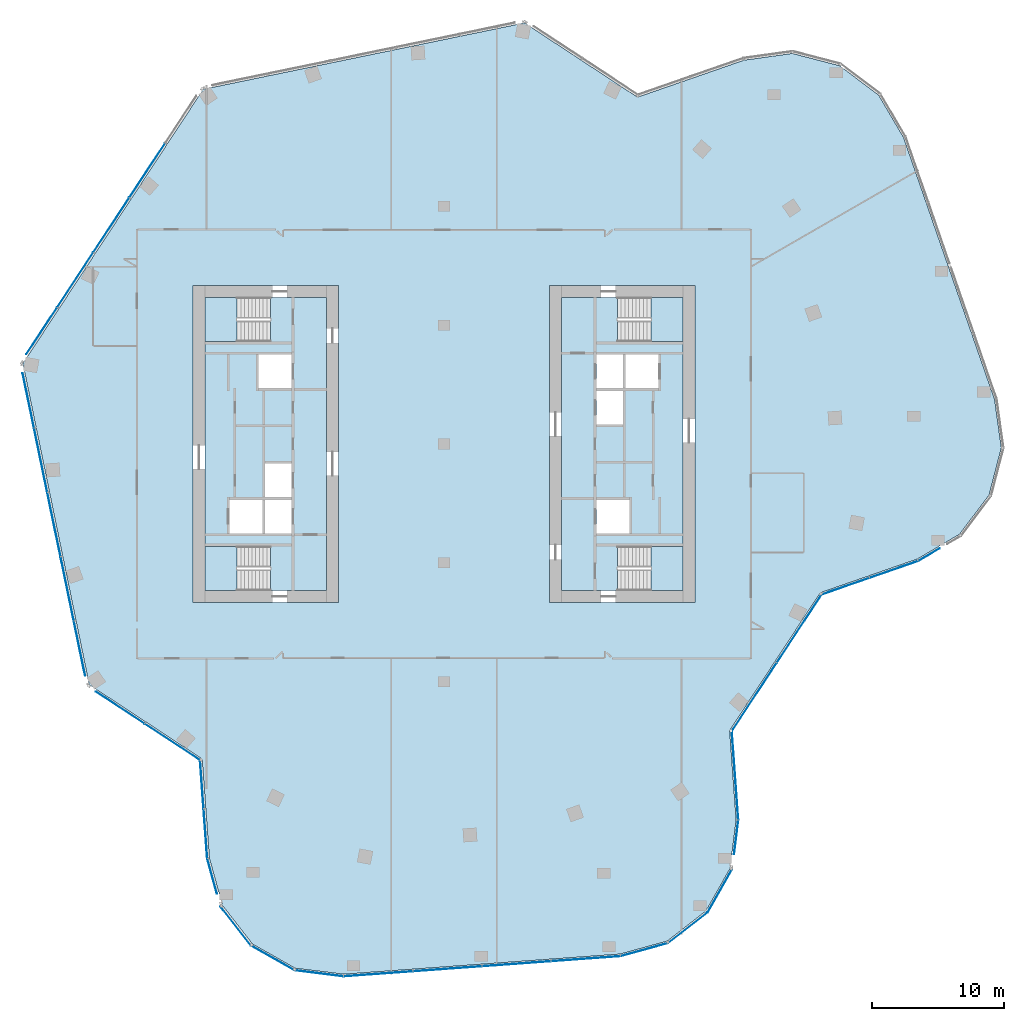
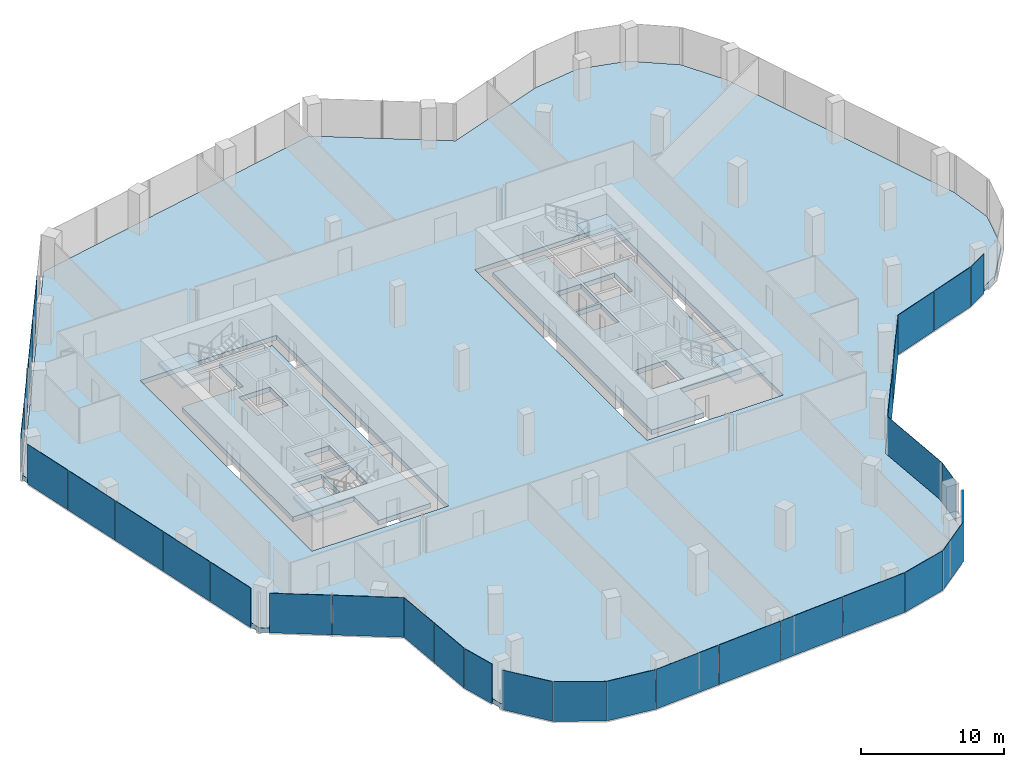
# One storey, part 16 of 24: 31 plates, 7 slabs, 21 elements without a shape of their own.
"""IFC4 building model written with IfcOpenShell, lengths in metres."""

from ifc_helpers import new_model, si_unit, direction, frame, origin, origin_2d, place, context, subcontext, project, spatial, polyline, rectangle, outline, extrude, material, layer, layer_set, type_object, element, aggregate, save


model = new_model("IFC4")

# Units and contexts
model_context = context("Model", 3, precision=1e-05, world=origin(), true_north=direction((0.0, 1.0)))
body_context = subcontext(model_context, "Body", "Model", "MODEL_VIEW")
ifc_project = project(units=[si_unit("LENGTHUNIT", "METRE"), si_unit("AREAUNIT", "SQUARE_METRE"), si_unit("VOLUMEUNIT", "CUBIC_METRE"), si_unit("PLANEANGLEUNIT", "RADIAN"), si_unit("MASSUNIT", "GRAM", prefix="KILO")], contexts=[model_context])

# Site, building, storey
site_placement = place(None, origin())
site = spatial("IfcSite", under=ifc_project, at=site_placement, CompositionType="ELEMENT")
building_placement = place(site_placement, origin())
building = spatial("IfcBuilding", under=site, at=building_placement, Name="Orlundy Tower", CompositionType="ELEMENT")
storey_placement = place(building_placement, frame((0.0, 0.0, 235.5)))
storey = spatial("IfcBuildingStorey", under=building, at=storey_placement, Name="L62", CompositionType="ELEMENT", Elevation=235.5)

# Curtain wall, plates
ifc_material_1 = material(Name="Aluminium bronze anodised", Category="aluminium")
curtain_wall_type = type_object("IfcCurtainWallType", Name="CW1 wall", PredefinedType="NOTDEFINED", material=ifc_material_1)
curtain_wall_1_placement = place(storey_placement, origin())
curtain_wall_1 = element("IfcCurtainWall", 1, at=curtain_wall_1_placement, inside=storey, type_object=curtain_wall_type, Name="CW1 run 00", PredefinedType="NOTDEFINED")
ifc_material_2 = material(Name="Tinted glass", Category="glass")
ifc_layer_1 = layer(ifc_material_2, 0.031982421875)
ifc_layer_set_1 = layer_set([ifc_layer_1], Name="CW1 glass panel 32")
plate_type = type_object("IfcPlateType", Name="CW1 glass panel 32", PredefinedType="CURTAIN_PANEL", material=ifc_layer_set_1)
plate_1_placement = place(storey_placement, frame((34.071044921875, -9.505126953125, -0.280029296875), z_axis=(0.0, 0.0, 1.0), x_axis=(-0.944599002584, -0.328226635601, 0.0)))
plate_1 = element("IfcPlate", 2, at=plate_1_placement, type_object=plate_type, Name="CW1 panel", PredefinedType="CURTAIN_PANEL", context=body_context, shape_type="SweptSolid", body=[
    extrude(rectangle(XDim=3.858154296875, YDim=0.031982421875, at=origin_2d()), origin(), (0.0, 0.0, 1.0), 3.3798828125),
])
plate_2_placement = place(storey_placement, frame((30.401611328125, -10.780029296875, -0.280029296875), z_axis=(0.0, 0.0, 1.0), x_axis=(-0.944599002584, -0.328226635601, 0.0)))
plate_2 = element("IfcPlate", 3, at=plate_2_placement, type_object=plate_type, Name="CW1 panel", PredefinedType="CURTAIN_PANEL", context=body_context, shape_type="SweptSolid", body=[
    extrude(rectangle(XDim=3.8115234375, YDim=0.031982421875, at=origin_2d()), origin(), (0.0, 0.0, 1.0), 3.3798828125),
])
aggregate(curtain_wall_1, [plate_1, plate_2])

curtain_wall_2_placement = place(storey_placement, origin())
curtain_wall_2 = element("IfcCurtainWall", 4, at=curtain_wall_2_placement, inside=storey, type_object=curtain_wall_type, Name="CW1 run 01", PredefinedType="NOTDEFINED")
plate_3_placement = place(storey_placement, frame((26.908447265625, -13.97998046875, -0.280029296875), z_axis=(0.0, 0.0, 1.0), x_axis=(-0.549495877226, -0.835496427827, 0.0)))
plate_3 = element("IfcPlate", 5, at=plate_3_placement, type_object=plate_type, Name="CW1 panel", PredefinedType="CURTAIN_PANEL", context=body_context, shape_type="SweptSolid", body=[
    extrude(rectangle(XDim=6.162353515625, YDim=0.031982421875, at=origin_2d()), origin(), (0.0, 0.0, 1.0), 3.3798828125),
])
plate_4_placement = place(storey_placement, frame((23.49462890625, -19.17041015625, -0.280029296875), z_axis=(0.0, 0.0, 1.0), x_axis=(-0.549495877226, -0.835496427827, 0.0)))
plate_4 = element("IfcPlate", 6, at=plate_4_placement, type_object=plate_type, Name="CW1 panel", PredefinedType="CURTAIN_PANEL", context=body_context, shape_type="SweptSolid", body=[
    extrude(rectangle(XDim=6.162353515625, YDim=0.031982421875, at=origin_2d()), origin(), (0.0, 0.0, 1.0), 3.3798828125),
])
aggregate(curtain_wall_2, [plate_3, plate_4])

# Curtain wall, plate
curtain_wall_3_placement = place(storey_placement, origin())
curtain_wall_3 = element("IfcCurtainWall", 7, at=curtain_wall_3_placement, inside=storey, type_object=curtain_wall_type, Name="CW1 run 02", PredefinedType="NOTDEFINED")
plate_5_placement = place(storey_placement, frame((22.045654296875, -25.095947265625, -0.280029296875), z_axis=(0.0, 0.0, 1.0), x_axis=(0.072660980026, -0.997356697467, 0.0)))
plate_5 = element("IfcPlate", 8, at=plate_5_placement, type_object=plate_type, Name="CW1 panel", PredefinedType="CURTAIN_PANEL", context=body_context, shape_type="SweptSolid", body=[
    extrude(rectangle(XDim=6.72021484375, YDim=0.031982421875, at=origin_2d()), origin(), (0.0, 0.0, 1.0), 3.3798828125),
])
aggregate(curtain_wall_3, [plate_5])

curtain_wall_4_placement = place(storey_placement, origin())
curtain_wall_4 = element("IfcCurtainWall", 9, at=curtain_wall_4_placement, inside=storey, type_object=curtain_wall_type, Name="CW1 run 03", PredefinedType="NOTDEFINED")
plate_6_placement = place(storey_placement, frame((22.12939453125, -29.779296875, -0.280029296875), z_axis=(0.0, 0.0, 1.0), x_axis=(-0.12330413281, -0.992368928792, 0.0)))
plate_6 = element("IfcPlate", 10, at=plate_6_placement, type_object=plate_type, Name="CW1 panel", PredefinedType="CURTAIN_PANEL", context=body_context, shape_type="SweptSolid", body=[
    extrude(rectangle(XDim=2.584228515625, YDim=0.031982421875, at=origin_2d()), origin(), (0.0, 0.0, 1.0), 3.3798828125),
])
aggregate(curtain_wall_4, [plate_6])

curtain_wall_5_placement = place(storey_placement, origin())
curtain_wall_5 = element("IfcCurtainWall", 11, at=curtain_wall_5_placement, inside=storey, type_object=curtain_wall_type, Name="CW1 run 04", PredefinedType="NOTDEFINED")
plate_7_placement = place(storey_placement, frame((20.897705078125, -33.83837890625, -0.280029296875), z_axis=(0.0, 0.0, 1.0), x_axis=(-0.493754430095, -0.869601381531, 0.0)))
plate_7 = element("IfcPlate", 12, at=plate_7_placement, type_object=plate_type, Name="CW1 panel", PredefinedType="CURTAIN_PANEL", context=body_context, shape_type="SweptSolid", body=[
    extrude(rectangle(XDim=3.771484375, YDim=0.031982421875, at=origin_2d()), origin(), (0.0, 0.0, 1.0), 3.3798828125),
])
aggregate(curtain_wall_5, [plate_7])

curtain_wall_6_placement = place(storey_placement, origin())
curtain_wall_6 = element("IfcCurtainWall", 13, at=curtain_wall_6_placement, inside=storey, type_object=curtain_wall_type, Name="CW1 run 05", PredefinedType="NOTDEFINED")
plate_8_placement = place(storey_placement, frame((18.478759765625, -36.637451171875, -0.280029296875), z_axis=(0.0, 0.0, 1.0), x_axis=(-0.788858043661, -0.614575452611, 0.0)))
plate_8 = element("IfcPlate", 14, at=plate_8_placement, type_object=plate_type, Name="CW1 panel", PredefinedType="CURTAIN_PANEL", context=body_context, shape_type="SweptSolid", body=[
    extrude(rectangle(XDim=3.77197265625, YDim=0.031982421875, at=origin_2d()), origin(), (0.0, 0.0, 1.0), 3.3798828125),
])
aggregate(curtain_wall_6, [plate_8])

curtain_wall_7_placement = place(storey_placement, origin())
curtain_wall_7 = element("IfcCurtainWall", 15, at=curtain_wall_7_placement, inside=storey, type_object=curtain_wall_type, Name="CW1 run 06", PredefinedType="NOTDEFINED")
plate_9_placement = place(storey_placement, frame((15.192626953125, -38.29248046875, -0.280029296875), z_axis=(0.0, 0.0, 1.0), x_axis=(-0.96398784948, -0.265946284152, 0.0)))
plate_9 = element("IfcPlate", 16, at=plate_9_placement, type_object=plate_type, Name="CW1 panel", PredefinedType="CURTAIN_PANEL", context=body_context, shape_type="SweptSolid", body=[
    extrude(rectangle(XDim=3.731201171875, YDim=0.031982421875, at=origin_2d()), origin(), (0.0, 0.0, 1.0), 3.3798828125),
])
aggregate(curtain_wall_7, [plate_9])

# Curtain wall, plates
curtain_wall_8_placement = place(storey_placement, origin())
curtain_wall_8 = element("IfcCurtainWall", 17, at=curtain_wall_8_placement, inside=storey, type_object=curtain_wall_type, Name="CW1 run 07", PredefinedType="NOTDEFINED")
plate_10_placement = place(storey_placement, frame((10.743896484375, -38.98681640625, -0.280029296875), z_axis=(0.0, 0.0, 1.0), x_axis=(-0.997356161969, -0.072668329988, 0.0)))
plate_10 = element("IfcPlate", 18, at=plate_10_placement, type_object=plate_type, Name="CW1 panel", PredefinedType="CURTAIN_PANEL", context=body_context, shape_type="SweptSolid", body=[
    extrude(rectangle(XDim=5.2158203125, YDim=0.031982421875, at=origin_2d()), origin(), (0.0, 0.0, 1.0), 3.3798828125),
])
plate_11_placement = place(storey_placement, frame((5.5, -39.368896484375, -0.280029296875), z_axis=(0.0, 0.0, 1.0), x_axis=(-0.997356161969, -0.072668329988, 0.0)))
plate_11 = element("IfcPlate", 19, at=plate_11_placement, type_object=plate_type, Name="CW1 panel", PredefinedType="CURTAIN_PANEL", context=body_context, shape_type="SweptSolid", body=[
    extrude(rectangle(XDim=5.199951171875, YDim=0.031982421875, at=origin_2d()), origin(), (0.0, 0.0, 1.0), 3.3798828125),
])
plate_12_placement = place(storey_placement, frame((0.263916015625, -39.750244140625, -0.280029296875), z_axis=(0.0, 0.0, 1.0), x_axis=(-0.997356161969, -0.072668329988, 0.0)))
plate_12 = element("IfcPlate", 20, at=plate_12_placement, type_object=plate_type, Name="CW1 panel", PredefinedType="CURTAIN_PANEL", context=body_context, shape_type="SweptSolid", body=[
    extrude(rectangle(XDim=5.199951171875, YDim=0.031982421875, at=origin_2d()), origin(), (0.0, 0.0, 1.0), 3.3798828125),
])
plate_13_placement = place(storey_placement, frame((-4.97998046875, -40.13232421875, -0.280029296875), z_axis=(0.0, 0.0, 1.0), x_axis=(-0.997356161969, -0.072668329988, 0.0)))
plate_13 = element("IfcPlate", 21, at=plate_13_placement, type_object=plate_type, Name="CW1 panel", PredefinedType="CURTAIN_PANEL", context=body_context, shape_type="SweptSolid", body=[
    extrude(rectangle(XDim=5.2158203125, YDim=0.031982421875, at=origin_2d()), origin(), (0.0, 0.0, 1.0), 3.3798828125),
])
aggregate(curtain_wall_8, [plate_10, plate_11, plate_12, plate_13])

# Curtain wall, plate
curtain_wall_9_placement = place(storey_placement, origin())
curtain_wall_9 = element("IfcCurtainWall", 22, at=curtain_wall_9_placement, inside=storey, type_object=curtain_wall_type, Name="CW1 run 08", PredefinedType="NOTDEFINED")
plate_14_placement = place(storey_placement, frame((-9.482421875, -40.090087890625, -0.280029296875), z_axis=(0.0, 0.0, 1.0), x_axis=(-0.992339997357, 0.123536754229, 0.0)))
plate_14 = element("IfcPlate", 23, at=plate_14_placement, type_object=plate_type, Name="CW1 panel", PredefinedType="CURTAIN_PANEL", context=body_context, shape_type="SweptSolid", body=[
    extrude(rectangle(XDim=3.73095703125, YDim=0.031982421875, at=origin_2d()), origin(), (0.0, 0.0, 1.0), 3.3798828125),
])
aggregate(curtain_wall_9, [plate_14])

curtain_wall_10_placement = place(storey_placement, origin())
curtain_wall_10 = element("IfcCurtainWall", 24, at=curtain_wall_10_placement, inside=storey, type_object=curtain_wall_type, Name="CW1 run 09", PredefinedType="NOTDEFINED")
plate_15_placement = place(storey_placement, frame((-12.973388671875, -38.9287109375, -0.280029296875), z_axis=(0.0, 0.0, 1.0), x_axis=(-0.869601381531, 0.493754430095, 0.0)))
plate_15 = element("IfcPlate", 25, at=plate_15_placement, type_object=plate_type, Name="CW1 panel", PredefinedType="CURTAIN_PANEL", context=body_context, shape_type="SweptSolid", body=[
    extrude(rectangle(XDim=3.771484375, YDim=0.031982421875, at=origin_2d()), origin(), (0.0, 0.0, 1.0), 3.3798828125),
])
aggregate(curtain_wall_10, [plate_15])

curtain_wall_11_placement = place(storey_placement, origin())
curtain_wall_11 = element("IfcCurtainWall", 26, at=curtain_wall_11_placement, inside=storey, type_object=curtain_wall_type, Name="CW1 run 010", PredefinedType="NOTDEFINED")
plate_16_placement = place(storey_placement, frame((-15.7724609375, -36.509765625, -0.280029296875), z_axis=(0.0, 0.0, 1.0), x_axis=(-0.614575452611, 0.788858043661, 0.0)))
plate_16 = element("IfcPlate", 27, at=plate_16_placement, type_object=plate_type, Name="CW1 panel", PredefinedType="CURTAIN_PANEL", context=body_context, shape_type="SweptSolid", body=[
    extrude(rectangle(XDim=3.77197265625, YDim=0.031982421875, at=origin_2d()), origin(), (0.0, 0.0, 1.0), 3.3798828125),
])
aggregate(curtain_wall_11, [plate_16])

curtain_wall_12_placement = place(storey_placement, origin())
curtain_wall_12 = element("IfcCurtainWall", 28, at=curtain_wall_12_placement, inside=storey, type_object=curtain_wall_type, Name="CW1 run 011", PredefinedType="NOTDEFINED")
plate_17_placement = place(storey_placement, frame((-17.559814453125, -32.742431640625, -0.280029296875), z_axis=(0.0, 0.0, 1.0), x_axis=(-0.265764722051, 0.964037920682, 0.0)))
plate_17 = element("IfcPlate", 29, at=plate_17_placement, type_object=plate_type, Name="CW1 panel", PredefinedType="CURTAIN_PANEL", context=body_context, shape_type="SweptSolid", body=[
    extrude(rectangle(XDim=2.730712890625, YDim=0.031982421875, at=origin_2d()), origin(), (0.0, 0.0, 1.0), 3.3798828125),
])
aggregate(curtain_wall_12, [plate_17])

# Curtain wall, plates
curtain_wall_13_placement = place(storey_placement, origin())
curtain_wall_13 = element("IfcCurtainWall", 30, at=curtain_wall_13_placement, inside=storey, type_object=curtain_wall_type, Name="CW1 run 012", PredefinedType="NOTDEFINED")
plate_18_placement = place(storey_placement, frame((-18.06689453125, -29.515625, -0.280029296875), z_axis=(0.0, 0.0, 1.0), x_axis=(-0.072746976548, 0.997350428587, 0.0)))
plate_18 = element("IfcPlate", 31, at=plate_18_placement, type_object=plate_type, Name="CW1 panel", PredefinedType="CURTAIN_PANEL", context=body_context, shape_type="SweptSolid", body=[
    extrude(rectangle(XDim=3.732421875, YDim=0.031982421875, at=origin_2d()), origin(), (0.0, 0.0, 1.0), 3.3798828125),
])
plate_19_placement = place(storey_placement, frame((-18.339599609375, -25.779052734375, -0.280029296875), z_axis=(0.0, 0.0, 1.0), x_axis=(-0.072746976548, 0.997350428587, 0.0)))
plate_19 = element("IfcPlate", 32, at=plate_19_placement, type_object=plate_type, Name="CW1 panel", PredefinedType="CURTAIN_PANEL", context=body_context, shape_type="SweptSolid", body=[
    extrude(rectangle(XDim=3.66064453125, YDim=0.031982421875, at=origin_2d()), origin(), (0.0, 0.0, 1.0), 3.3798828125),
])
aggregate(curtain_wall_13, [plate_18, plate_19])

curtain_wall_14_placement = place(storey_placement, origin())
curtain_wall_14 = element("IfcCurtainWall", 33, at=curtain_wall_14_placement, inside=storey, type_object=curtain_wall_type, Name="CW1 run 013", PredefinedType="NOTDEFINED")
plate_20_placement = place(storey_placement, frame((-20.56640625, -22.576416015625, -0.280029296875), z_axis=(0.0, 0.0, 1.0), x_axis=(-0.835476099694, 0.54952678446, 0.0)))
plate_20 = element("IfcPlate", 34, at=plate_20_placement, type_object=plate_type, Name="CW1 panel", PredefinedType="CURTAIN_PANEL", context=body_context, shape_type="SweptSolid", body=[
    extrude(rectangle(XDim=5.01220703125, YDim=0.031982421875, at=origin_2d()), origin(), (0.0, 0.0, 1.0), 3.3798828125),
])
plate_21_placement = place(storey_placement, frame((-24.5302734375, -19.96923828125, -0.280029296875), z_axis=(0.0, 0.0, 1.0), x_axis=(-0.835476099694, 0.54952678446, 0.0)))
plate_21 = element("IfcPlate", 35, at=plate_21_placement, type_object=plate_type, Name="CW1 panel", PredefinedType="CURTAIN_PANEL", context=body_context, shape_type="SweptSolid", body=[
    extrude(rectangle(XDim=4.376708984375, YDim=0.031982421875, at=origin_2d()), origin(), (0.0, 0.0, 1.0), 3.3798828125),
])
aggregate(curtain_wall_14, [plate_20, plate_21])

curtain_wall_15_placement = place(storey_placement, origin())
curtain_wall_15 = element("IfcCurtainWall", 36, at=curtain_wall_15_placement, inside=storey, type_object=curtain_wall_type, Name="CW1 run 014", PredefinedType="NOTDEFINED")
plate_22_placement = place(storey_placement, frame((-27.60009765625, -15.496337890625, -0.280029296875), z_axis=(0.0, 0.0, 1.0), x_axis=(-0.202233038095, 0.979337428215, 0.0)))
plate_22 = element("IfcPlate", 37, at=plate_22_placement, type_object=plate_type, Name="CW1 panel", PredefinedType="CURTAIN_PANEL", context=body_context, shape_type="SweptSolid", body=[
    extrude(rectangle(XDim=4.228271484375, YDim=0.031982421875, at=origin_2d()), origin(), (0.0, 0.0, 1.0), 3.3798828125),
])
plate_23_placement = place(storey_placement, frame((-28.535400390625, -10.967529296875, -0.280029296875), z_axis=(0.0, 0.0, 1.0), x_axis=(-0.202233038095, 0.979337428215, 0.0)))
plate_23 = element("IfcPlate", 38, at=plate_23_placement, type_object=plate_type, Name="CW1 panel", PredefinedType="CURTAIN_PANEL", context=body_context, shape_type="SweptSolid", body=[
    extrude(rectangle(XDim=4.92041015625, YDim=0.031982421875, at=origin_2d()), origin(), (0.0, 0.0, 1.0), 3.3798828125),
])
plate_24_placement = place(storey_placement, frame((-29.54052734375, -6.099609375, -0.280029296875), z_axis=(0.0, 0.0, 1.0), x_axis=(-0.202233038095, 0.979337428215, 0.0)))
plate_24 = element("IfcPlate", 39, at=plate_24_placement, type_object=plate_type, Name="CW1 panel", PredefinedType="CURTAIN_PANEL", context=body_context, shape_type="SweptSolid", body=[
    extrude(rectangle(XDim=4.92041015625, YDim=0.031982421875, at=origin_2d()), origin(), (0.0, 0.0, 1.0), 3.3798828125),
])
plate_25_placement = place(storey_placement, frame((-30.5458984375, -1.23193359375, -0.280029296875), z_axis=(0.0, 0.0, 1.0), x_axis=(-0.202233038095, 0.979337428215, 0.0)))
plate_25 = element("IfcPlate", 40, at=plate_25_placement, type_object=plate_type, Name="CW1 panel", PredefinedType="CURTAIN_PANEL", context=body_context, shape_type="SweptSolid", body=[
    extrude(rectangle(XDim=4.92041015625, YDim=0.031982421875, at=origin_2d()), origin(), (0.0, 0.0, 1.0), 3.3798828125),
])
plate_26_placement = place(storey_placement, frame((-31.48095703125, 3.297119140625, -0.280029296875), z_axis=(0.0, 0.0, 1.0), x_axis=(-0.202233038095, 0.979337428215, 0.0)))
plate_26 = element("IfcPlate", 41, at=plate_26_placement, type_object=plate_type, Name="CW1 panel", PredefinedType="CURTAIN_PANEL", context=body_context, shape_type="SweptSolid", body=[
    extrude(rectangle(XDim=4.228759765625, YDim=0.031982421875, at=origin_2d()), origin(), (0.0, 0.0, 1.0), 3.3798828125),
])
aggregate(curtain_wall_15, [plate_22, plate_23, plate_24, plate_25, plate_26])

curtain_wall_16_placement = place(storey_placement, origin())
curtain_wall_16 = element("IfcCurtainWall", 42, at=curtain_wall_16_placement, inside=storey, type_object=curtain_wall_type, Name="CW1 run 015", PredefinedType="NOTDEFINED")
plate_27_placement = place(storey_placement, frame((-30.47412109375, 8.55859375, -0.280029296875), z_axis=(0.0, 0.0, 1.0), x_axis=(0.5495174705, 0.835482225793, 0.0)))
plate_27 = element("IfcPlate", 43, at=plate_27_placement, type_object=plate_type, Name="CW1 panel", PredefinedType="CURTAIN_PANEL", context=body_context, shape_type="SweptSolid", body=[
    extrude(rectangle(XDim=4.228759765625, YDim=0.031982421875, at=origin_2d()), origin(), (0.0, 0.0, 1.0), 3.3798828125),
])
plate_28_placement = place(storey_placement, frame((-27.932861328125, 12.42236328125, -0.280029296875), z_axis=(0.0, 0.0, 1.0), x_axis=(0.5495174705, 0.835482225793, 0.0)))
plate_28 = element("IfcPlate", 44, at=plate_28_placement, type_object=plate_type, Name="CW1 panel", PredefinedType="CURTAIN_PANEL", context=body_context, shape_type="SweptSolid", body=[
    extrude(rectangle(XDim=4.920654296875, YDim=0.031982421875, at=origin_2d()), origin(), (0.0, 0.0, 1.0), 3.3798828125),
])
plate_29_placement = place(storey_placement, frame((-25.201416015625, 16.5751953125, -0.280029296875), z_axis=(0.0, 0.0, 1.0), x_axis=(0.5495174705, 0.835482225793, 0.0)))
plate_29 = element("IfcPlate", 45, at=plate_29_placement, type_object=plate_type, Name="CW1 panel", PredefinedType="CURTAIN_PANEL", context=body_context, shape_type="SweptSolid", body=[
    extrude(rectangle(XDim=4.920654296875, YDim=0.031982421875, at=origin_2d()), origin(), (0.0, 0.0, 1.0), 3.3798828125),
])
plate_30_placement = place(storey_placement, frame((-22.47021484375, 20.72802734375, -0.280029296875), z_axis=(0.0, 0.0, 1.0), x_axis=(0.5495174705, 0.835482225793, 0.0)))
plate_30 = element("IfcPlate", 46, at=plate_30_placement, type_object=plate_type, Name="CW1 panel", PredefinedType="CURTAIN_PANEL", context=body_context, shape_type="SweptSolid", body=[
    extrude(rectangle(XDim=4.920654296875, YDim=0.031982421875, at=origin_2d()), origin(), (0.0, 0.0, 1.0), 3.3798828125),
])
aggregate(curtain_wall_16, [plate_27, plate_28, plate_29, plate_30])

# Curtain wall, plate
curtain_wall_17_placement = place(storey_placement, origin())
curtain_wall_17 = element("IfcCurtainWall", 47, at=curtain_wall_17_placement, inside=storey, type_object=curtain_wall_type, Name="CW1 run 027", PredefinedType="NOTDEFINED")
plate_31_placement = place(storey_placement, frame((36.74658203125, -8.37646484375, -0.280029296875), z_axis=(0.0, 0.0, 1.0), x_axis=(-0.862287730604, -0.506418670322, 0.0)))
plate_31 = element("IfcPlate", 48, at=plate_31_placement, type_object=plate_type, Name="CW1 panel", PredefinedType="CURTAIN_PANEL", context=body_context, shape_type="SweptSolid", body=[
    extrude(rectangle(XDim=1.873779296875, YDim=0.031982421875, at=origin_2d()), origin(), (0.0, 0.0, 1.0), 3.3798828125),
])
aggregate(curtain_wall_17, [plate_31])

# Slabs
ifc_material_3 = material(Name="Concrete C50/60", Category="concrete")
ifc_layer_2 = layer(ifc_material_3, 0.409912109375)
ifc_layer_set_2 = layer_set([ifc_layer_2], Name="Core Floor Slab 410")
slab_type_1 = type_object("IfcSlabType", Name="Core Floor Slab 410", PredefinedType="FLOOR", material=ifc_layer_set_2)
slab_1_placement = place(storey_placement, frame((0.0, 0.0, -0.409912109375)))
element("IfcSlab", 49, at=slab_1_placement, inside=storey, type_object=slab_type_1, Name="Core floor W48", PredefinedType="FLOOR", context=body_context, shape_type="SweptSolid", body=[
    extrude(outline(polyline([(-18.10009765625, 7.75), (-13.14501953125, 7.75), (-13.14501953125, 11.10009765625), (-8.89990234375, 11.10009765625), (-8.89990234375, -11.10009765625), (-13.14501953125, -11.10009765625), (-13.14501953125, -7.75), (-18.10009765625, -7.75), (-18.10009765625, 7.75)]), holes=[polyline([(-13.5400390625, -4.22509765625), (-13.5400390625, -6.77490234375), (-11.5400390625, -6.77490234375), (-11.5400390625, -4.22509765625), (-13.5400390625, -4.22509765625)]), polyline([(-13.739990234375, -4.22509765625), (-16.239990234375, -4.22509765625), (-16.239990234375, -6.77490234375), (-13.739990234375, -6.77490234375), (-13.739990234375, -4.22509765625)]), polyline([(-11.5400390625, -4.02490234375), (-11.5400390625, -1.47509765625), (-13.5400390625, -1.47509765625), (-13.5400390625, -4.02490234375), (-11.5400390625, -4.02490234375)]), polyline([(-14.0400390625, 4.22509765625), (-11.5400390625, 4.22509765625), (-11.5400390625, 6.77490234375), (-14.0400390625, 6.77490234375), (-14.0400390625, 4.22509765625)])]), origin(), (0.0, 0.0, 1.0), 0.409912109375),
])
slab_2_placement = place(storey_placement, frame((0.0, 0.0, -0.409912109375)))
element("IfcSlab", 50, at=slab_2_placement, inside=storey, type_object=slab_type_1, Name="Core floor E48", PredefinedType="FLOOR", context=body_context, shape_type="SweptSolid", body=[
    extrude(outline(polyline([(18.10009765625, -7.75), (13.14501953125, -7.75), (13.14501953125, -11.10009765625), (8.89990234375, -11.10009765625), (8.89990234375, 11.10009765625), (13.14501953125, 11.10009765625), (13.14501953125, 7.75), (18.10009765625, 7.75), (18.10009765625, -7.75)]), holes=[polyline([(13.5400390625, 4.22509765625), (13.5400390625, 6.77490234375), (11.5400390625, 6.77490234375), (11.5400390625, 4.22509765625), (13.5400390625, 4.22509765625)]), polyline([(13.739990234375, 4.22509765625), (16.239990234375, 4.22509765625), (16.239990234375, 6.77490234375), (13.739990234375, 6.77490234375), (13.739990234375, 4.22509765625)]), polyline([(11.5400390625, 4.02490234375), (11.5400390625, 1.47509765625), (13.5400390625, 1.47509765625), (13.5400390625, 4.02490234375), (11.5400390625, 4.02490234375)]), polyline([(14.0400390625, -4.22509765625), (11.5400390625, -4.22509765625), (11.5400390625, -6.77490234375), (14.0400390625, -6.77490234375), (14.0400390625, -4.22509765625)])]), origin(), (0.0, 0.0, 1.0), 0.409912109375),
])

# Stair, slab
ifc_material_4 = material(Name="Concrete C50/60", Category="concrete")
stair_type = type_object("IfcStairType", Name="Exit Stair 20 risers", PredefinedType="HALF_TURN_STAIR", material=ifc_material_4)
stair_1_placement = place(storey_placement, origin())
stair_1 = element("IfcStair", 51, at=stair_1_placement, inside=storey, type_object=stair_type, Name="L62 Exit Stair ST-W1", PredefinedType="HALF_TURN_STAIR")
ifc_material_5 = material(Name="Concrete C50/60", Category="concrete")
ifc_layer_3 = layer(ifc_material_5, 0.199951171875)
ifc_layer_set_3 = layer_set([ifc_layer_3], Name="Exit Stair Landing")
slab_type_2 = type_object("IfcSlabType", Name="Exit Stair Landing", PredefinedType="LANDING", material=ifc_layer_set_3)
slab_3_placement = place(storey_placement, frame((0.0, 0.0, 1.550048828125)))
slab_3 = element("IfcSlab", 52, at=slab_3_placement, type_object=slab_type_2, Name="ST-W1 landing 1", PredefinedType="LANDING", context=body_context, shape_type="SweptSolid", body=[
    extrude(outline(polyline([(-15.659912109375, 11.10009765625), (-18.10009765625, 11.10009765625), (-18.10009765625, 7.75), (-15.659912109375, 7.75), (-15.659912109375, 11.10009765625)])), origin(), (0.0, 0.0, 1.0), 0.199951171875),
])
aggregate(stair_1, [slab_3])

stair_2_placement = place(storey_placement, origin())
stair_2 = element("IfcStair", 53, at=stair_2_placement, inside=storey, type_object=stair_type, Name="L62 Exit Stair ST-W2", PredefinedType="HALF_TURN_STAIR")
slab_4_placement = place(storey_placement, frame((0.0, 0.0, 1.550048828125)))
slab_4 = element("IfcSlab", 54, at=slab_4_placement, type_object=slab_type_2, Name="ST-W2 landing 1", PredefinedType="LANDING", context=body_context, shape_type="SweptSolid", body=[
    extrude(outline(polyline([(-15.659912109375, -7.75), (-18.10009765625, -7.75), (-18.10009765625, -11.10009765625), (-15.659912109375, -11.10009765625), (-15.659912109375, -7.75)])), origin(), (0.0, 0.0, 1.0), 0.199951171875),
])
aggregate(stair_2, [slab_4])

stair_3_placement = place(storey_placement, origin())
stair_3 = element("IfcStair", 55, at=stair_3_placement, inside=storey, type_object=stair_type, Name="L62 Exit Stair ST-E1", PredefinedType="HALF_TURN_STAIR")
slab_5_placement = place(storey_placement, frame((0.0, 0.0, 1.550048828125)))
slab_5 = element("IfcSlab", 56, at=slab_5_placement, type_object=slab_type_2, Name="ST-E1 landing 1", PredefinedType="LANDING", context=body_context, shape_type="SweptSolid", body=[
    extrude(outline(polyline([(15.659912109375, -11.10009765625), (18.10009765625, -11.10009765625), (18.10009765625, -7.75), (15.659912109375, -7.75), (15.659912109375, -11.10009765625)])), origin(), (0.0, 0.0, 1.0), 0.199951171875),
])
aggregate(stair_3, [slab_5])

stair_4_placement = place(storey_placement, origin())
stair_4 = element("IfcStair", 57, at=stair_4_placement, inside=storey, type_object=stair_type, Name="L62 Exit Stair ST-E2", PredefinedType="HALF_TURN_STAIR")
slab_6_placement = place(storey_placement, frame((0.0, 0.0, 1.550048828125)))
slab_6 = element("IfcSlab", 58, at=slab_6_placement, type_object=slab_type_2, Name="ST-E2 landing 1", PredefinedType="LANDING", context=body_context, shape_type="SweptSolid", body=[
    extrude(outline(polyline([(15.659912109375, 7.75), (18.10009765625, 7.75), (18.10009765625, 11.10009765625), (15.659912109375, 11.10009765625), (15.659912109375, 7.75)])), origin(), (0.0, 0.0, 1.0), 0.199951171875),
])
aggregate(stair_4, [slab_6])

# Slab
ifc_material_6 = material(Name="Concrete C45/55", Category="concrete")
ifc_layer_4 = layer(ifc_material_6, 0.39990234375)
ifc_layer_set_4 = layer_set([ifc_layer_4], Name="FLOOR SLAB THICK 400 C45/55")
slab_type_3 = type_object("IfcSlabType", Name="FLOOR SLAB THICK 400 C45/55", PredefinedType="FLOOR", material=ifc_layer_set_4)
slab_7_placement = place(storey_placement, frame((0.0, 0.0, -0.39990234375)))
element("IfcSlab", 59, at=slab_7_placement, inside=storey, type_object=slab_type_3, Name="Floor slab L62", PredefinedType="FLOOR", context=body_context, shape_type="SweptSolid", body=[
    extrude(outline(polyline([(28.4951171875, -11.26904296875), (21.634033203125, -21.700927734375), (22.126953125, -28.468017578125), (21.669921875, -32.14599609375), (19.840087890625, -35.368896484375), (16.916015625, -37.64697265625), (13.342041015625, -38.633056640625), (-7.60205078125, -40.158935546875), (-11.281005859375, -39.700927734375), (-14.50390625, -37.87109375), (-16.781982421875, -34.947021484375), (-17.76708984375, -31.3740234375), (-18.31494140625, -23.861083984375), (-26.866943359375, -18.236083984375), (-31.89306640625, 6.10302734375), (-18.236083984375, 26.866943359375), (6.10302734375, 31.89306640625), (14.656005859375, 26.26806640625), (22.715087890625, 29.069091796875), (26.386962890625, 29.580078125), (29.97412109375, 28.64599609375), (32.930908203125, 26.410888671875), (34.80810546875, 23.215087890625), (41.701904296875, 3.37890625), (42.212890625, -0.29296875), (41.280029296875, -3.8798828125), (39.0439453125, -6.8369140625), (35.847900390625, -8.714111328125), (28.4951171875, -11.26904296875)]), holes=[polyline([(-8.0, -12.0), (-8.0, 12.0), (-19.0, 12.0), (-19.0, -12.0), (-8.0, -12.0)]), polyline([(19.0, -12.0), (19.0, 12.0), (8.0, 12.0), (8.0, -12.0), (19.0, -12.0)])]), origin(), (0.0, 0.0, 1.0), 0.39990234375),
])

save(model, "model.ifc")
